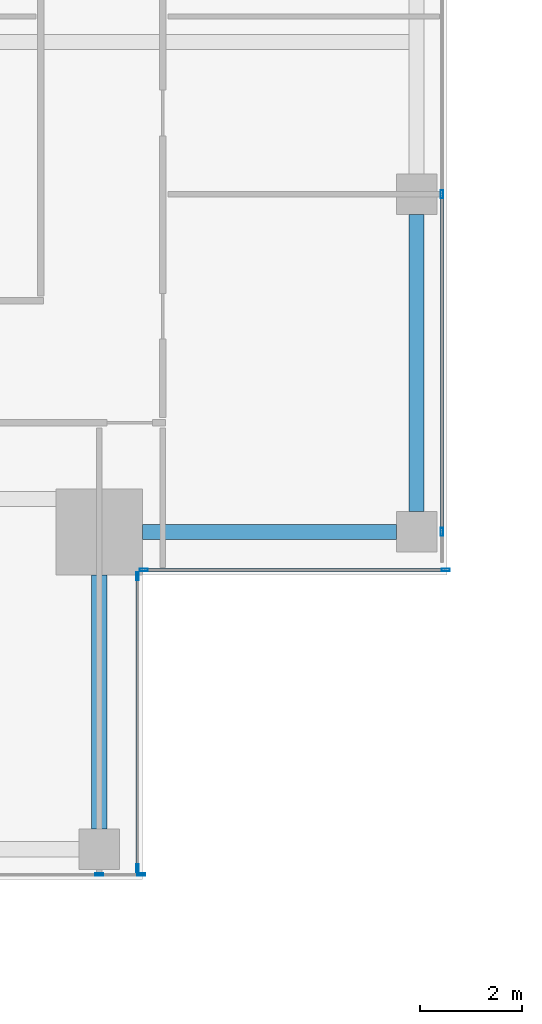
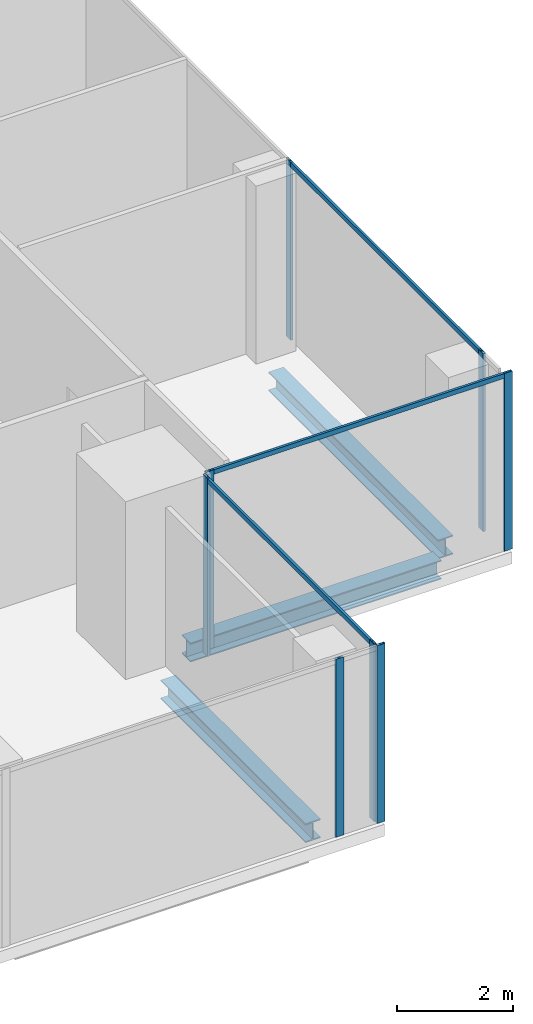
# One storey, part 8 of 28: 11 members, 3 beams, 4 elements without a shape of their own.
"""IFC4 building model written with IfcOpenShell, lengths in metres."""

from ifc_helpers import new_model, si_unit, direction, frame, origin, origin_2d, place, context, subcontext, project, spatial, hollow_rectangle, i_section, extrude, source, transform, mapped, material, material_profile, profile_set, type_object, element, aggregate, save


model = new_model("IFC4")

# Units and contexts
model_context = context("Model", 3, precision=1e-05, world=origin(), true_north=direction((0.0, 1.0)))
body_context = subcontext(model_context, "Body", "Model", "MODEL_VIEW")
ifc_project = project(units=[si_unit("LENGTHUNIT", "METRE"), si_unit("AREAUNIT", "SQUARE_METRE"), si_unit("VOLUMEUNIT", "CUBIC_METRE"), si_unit("PLANEANGLEUNIT", "RADIAN"), si_unit("MASSUNIT", "GRAM", prefix="KILO")], contexts=[model_context])

# Site, building, storey
site_placement = place(None, origin())
site = spatial("IfcSite", under=ifc_project, at=site_placement, CompositionType="ELEMENT")
building_placement = place(site_placement, origin())
building = spatial("IfcBuilding", under=site, at=building_placement, Name="Khomas Fold Tower", CompositionType="ELEMENT")
storey_placement = place(building_placement, frame((0.0, 0.0, 302.199951171875)))
storey = spatial("IfcBuildingStorey", under=building, at=storey_placement, Name="L68", CompositionType="ELEMENT", Elevation=302.199951171875)

# Beams
ifc_material_1 = material(Name="Steel S355", Category="steel")
ifc_material_profile_1 = material_profile(ifc_material_1, i_section(OverallWidth=0.300048828125, OverallDepth=0.39990234375, WebThickness=0.013427734375, FlangeThickness=0.02392578125, at=origin_2d()), Name="HE 400 B")
ifc_profile_set_1 = profile_set([ifc_material_profile_1], Name="Steel S355")
beam_type = type_object("IfcBeamType", Name="HE 400 B spandrel SB5", PredefinedType="SPANDREL", material=ifc_profile_set_1)
shared_shape_1 = source(origin(), body_context, "Body", "SweptSolid", [
    extrude(i_section(OverallWidth=0.300048828125, OverallDepth=0.39990234375, WebThickness=0.013427734375, FlangeThickness=0.02392578125, at=origin_2d()), origin(), (0.0, 0.0, 1.0), 5.85009765625),
])
beam_placement = place(storey_placement, frame((47.39990234375, 13.25, -0.449951171875), z_axis=(0.0, 1.0, 0.0), x_axis=(-1.0, 0.0, 0.0)))
element("IfcBeam", 1, at=beam_placement, inside=storey, type_object=beam_type, Name="SB5", PredefinedType="SPANDREL", context=body_context, shape_type="MappedRepresentation", body=[
    mapped(shared_shape_1, transform((0.0, 0.0, 0.0))),
])
shared_shape_2 = source(origin(), body_context, "Body", "SweptSolid", [
    extrude(i_section(OverallWidth=0.300048828125, OverallDepth=0.39990234375, WebThickness=0.013427734375, FlangeThickness=0.02392578125, at=origin_2d()), origin(), (0.0, 0.0, 1.0), 5.0),
])
for number, where, z_axis, x_axis, name in (
    (2, (41.14990234375, 7.0, -0.449951171875), (0.0, 1.0, 0.0), (-1.0, 0.0, 0.0), "SB5"),
    (3, (42.0, 12.85009765625, -0.449951171875), (1.0, 0.0, 0.0), (0.0, 1.0, 0.0), "SB5"),
):
    element("IfcBeam", number, at=place(storey_placement, frame(where, z_axis=z_axis, x_axis=x_axis)), inside=storey, type_object=beam_type, Name=name, PredefinedType="SPANDREL", context=body_context, shape_type="MappedRepresentation", body=[
        mapped(shared_shape_2, transform((0.0, 0.0, 0.0))),
    ])

# Curtain wall, members
ifc_material_2 = material(Name="Aluminium framed double glazing", Category="aluminium")
curtain_wall_type = type_object("IfcCurtainWallType", Name="SK-Unitised clear-glass wall, upper floors CW3", PredefinedType="NOTDEFINED", material=ifc_material_2)
curtain_wall_1_placement = place(storey_placement, origin())
curtain_wall_1 = element("IfcCurtainWall", 4, at=curtain_wall_1_placement, inside=storey, type_object=curtain_wall_type, Name="CW3 run L68 00-0", PredefinedType="NOTDEFINED")
ifc_material_3 = material(Name="Aluminium", Category="aluminium")
ifc_material_profile_2 = material_profile(ifc_material_3, hollow_rectangle(XDim=0.050048828125, YDim=0.159912109375, WallThickness=0.00390625, at=origin_2d()), Name="SK-Unitised clear-glass wall, upper floors mullion CW3-M")
ifc_profile_set_2 = profile_set([ifc_material_profile_2], Name="Aluminium")
member_type_1 = type_object("IfcMemberType", Name="SK-Unitised clear-glass wall, upper floors mullion CW3-M", PredefinedType="MULLION", material=ifc_profile_set_2)
shared_shape_3 = source(origin(), body_context, "Body", "SweptSolid", [
    extrude(hollow_rectangle(XDim=0.050048828125, YDim=0.159912109375, WallThickness=0.00390625, at=origin_2d()), origin(), (0.0, 0.0, 1.0), 3.75),
])
member_1_placement = place(storey_placement, frame((41.14990234375, 6.10009765625, 0.0), z_axis=(0.0, 0.0, 1.0), x_axis=(0.0, 1.0, 0.0)))
member_1 = element("IfcMember", 5, at=member_1_placement, type_object=member_type_1, Name="CW3 mullion 6", PredefinedType="MULLION", context=body_context, shape_type="MappedRepresentation", body=[
    mapped(shared_shape_3, transform((0.0, 0.0, 0.0))),
])
member_2_placement = place(storey_placement, frame((41.97509765625, 6.10009765625, 0.0), z_axis=(0.0, 0.0, 1.0), x_axis=(0.0, 1.0, 0.0)))
member_2 = element("IfcMember", 6, at=member_2_placement, type_object=member_type_1, Name="CW3 mullion 7", PredefinedType="MULLION", context=body_context, shape_type="MappedRepresentation", body=[
    mapped(shared_shape_3, transform((0.0, 0.0, 0.0))),
])
aggregate(curtain_wall_1, [member_1, member_2])

curtain_wall_2_placement = place(storey_placement, origin())
curtain_wall_2 = element("IfcCurtainWall", 7, at=curtain_wall_2_placement, inside=storey, type_object=curtain_wall_type, Name="CW3 corner return L68 01", PredefinedType="NOTDEFINED")
member_3_placement = place(storey_placement, frame((41.89990234375, 6.22509765625, 0.0), z_axis=(0.0, 0.0, 1.0), x_axis=(-1.0, 0.0, 0.0)))
member_3 = element("IfcMember", 8, at=member_3_placement, type_object=member_type_1, Name="CW3 mullion 1", PredefinedType="MULLION", context=body_context, shape_type="MappedRepresentation", body=[
    mapped(shared_shape_3, transform((0.0, 0.0, 0.0))),
])
member_4_placement = place(storey_placement, frame((41.89990234375, 11.97509765625, 0.0), z_axis=(0.0, 0.0, 1.0), x_axis=(-1.0, 0.0, 0.0)))
member_4 = element("IfcMember", 9, at=member_4_placement, type_object=member_type_1, Name="CW3 mullion 2", PredefinedType="MULLION", context=body_context, shape_type="MappedRepresentation", body=[
    mapped(shared_shape_3, transform((0.0, 0.0, 0.0))),
])

curtain_wall_3_placement = place(storey_placement, origin())
curtain_wall_3 = element("IfcCurtainWall", 10, at=curtain_wall_3_placement, inside=storey, type_object=curtain_wall_type, Name="CW3 corner return L68 02", PredefinedType="NOTDEFINED")
member_5_placement = place(storey_placement, frame((42.02490234375, 12.10009765625, 0.0), z_axis=(0.0, 0.0, 1.0), x_axis=(0.0, 1.0, 0.0)))
member_5 = element("IfcMember", 11, at=member_5_placement, type_object=member_type_1, Name="CW3 mullion 1", PredefinedType="MULLION", context=body_context, shape_type="MappedRepresentation", body=[
    mapped(shared_shape_3, transform((0.0, 0.0, 0.0))),
])
member_6_placement = place(storey_placement, frame((47.97509765625, 12.10009765625, 0.0), z_axis=(0.0, 0.0, 1.0), x_axis=(0.0, 1.0, 0.0)))
member_6 = element("IfcMember", 12, at=member_6_placement, type_object=member_type_1, Name="CW3 mullion 2", PredefinedType="MULLION", context=body_context, shape_type="MappedRepresentation", body=[
    mapped(shared_shape_3, transform((0.0, 0.0, 0.0))),
])

curtain_wall_4_placement = place(storey_placement, origin())
curtain_wall_4 = element("IfcCurtainWall", 13, at=curtain_wall_4_placement, inside=storey, type_object=curtain_wall_type, Name="CW3 run L68 03-0", PredefinedType="NOTDEFINED")
member_7_placement = place(storey_placement, frame((47.89990234375, 12.85009765625, 0.0), z_axis=(0.0, 0.0, 1.0), x_axis=(-1.0, 0.0, 0.0)))
member_7 = element("IfcMember", 14, at=member_7_placement, type_object=member_type_1, Name="CW3 mullion 2", PredefinedType="MULLION", context=body_context, shape_type="MappedRepresentation", body=[
    mapped(shared_shape_3, transform((0.0, 0.0, 0.0))),
])
member_8_placement = place(storey_placement, frame((47.89990234375, 19.5, 0.0), z_axis=(0.0, 0.0, 1.0), x_axis=(-1.0, 0.0, 0.0)))
member_8 = element("IfcMember", 15, at=member_8_placement, type_object=member_type_1, Name="CW3 mullion 3", PredefinedType="MULLION", context=body_context, shape_type="MappedRepresentation", body=[
    mapped(shared_shape_3, transform((0.0, 0.0, 0.0))),
])
ifc_material_4 = material(Name="Aluminium", Category="aluminium")
ifc_material_profile_3 = material_profile(ifc_material_4, hollow_rectangle(XDim=0.050048828125, YDim=0.10009765625, WallThickness=0.00390625, at=origin_2d()), Name="SK-Unitised clear-glass wall, upper floors transom CW3-T")
ifc_profile_set_3 = profile_set([ifc_material_profile_3], Name="Aluminium")
member_type_2 = type_object("IfcMemberType", Name="SK-Unitised clear-glass wall, upper floors transom CW3-T", PredefinedType="USERDEFINED", material=ifc_profile_set_3)
shared_shape_4 = source(origin(), body_context, "Body", "SweptSolid", [
    extrude(hollow_rectangle(XDim=0.050048828125, YDim=0.10009765625, WallThickness=0.00390625, at=origin_2d()), origin(), (0.0, 0.0, 1.0), 6.60009765625),
])
member_9_placement = place(storey_placement, frame((47.89990234375, 12.875, 3.699951171875), z_axis=(0.0, 1.0, 0.0), x_axis=(-1.0, 0.0, 0.0)))
member_9 = element("IfcMember", 16, at=member_9_placement, type_object=member_type_2, Name="CW3 transom 2", ObjectType="TRANSOM", PredefinedType="USERDEFINED", context=body_context, shape_type="MappedRepresentation", body=[
    mapped(shared_shape_4, transform((0.0, 0.0, 0.0))),
])
aggregate(curtain_wall_4, [member_7, member_8, member_9])

# Member
shared_shape_5 = source(origin(), body_context, "Body", "SweptSolid", [
    extrude(hollow_rectangle(XDim=0.050048828125, YDim=0.10009765625, WallThickness=0.00390625, at=origin_2d()), origin(), (0.0, 0.0, 1.0), 5.699951171875),
])
member_10_placement = place(storey_placement, frame((41.89990234375, 6.25, 3.699951171875), z_axis=(0.0, 1.0, 0.0), x_axis=(-1.0, 0.0, 0.0)))
member_10 = element("IfcMember", 17, at=member_10_placement, type_object=member_type_2, Name="CW3 transom 1", ObjectType="TRANSOM", PredefinedType="USERDEFINED", context=body_context, shape_type="MappedRepresentation", body=[
    mapped(shared_shape_5, transform((0.0, 0.0, 0.0))),
])

aggregate(curtain_wall_2, [member_3, member_4, member_10])

shared_shape_6 = source(origin(), body_context, "Body", "SweptSolid", [
    extrude(hollow_rectangle(XDim=0.050048828125, YDim=0.10009765625, WallThickness=0.00390625, at=origin_2d()), origin(), (0.0, 0.0, 1.0), 5.89990234375),
])
member_11_placement = place(storey_placement, frame((42.050048828125, 12.10009765625, 3.699951171875), z_axis=(1.0, 0.0, 0.0), x_axis=(0.0, 1.0, 0.0)))
member_11 = element("IfcMember", 18, at=member_11_placement, type_object=member_type_2, Name="CW3 transom 1", ObjectType="TRANSOM", PredefinedType="USERDEFINED", context=body_context, shape_type="MappedRepresentation", body=[
    mapped(shared_shape_6, transform((0.0, 0.0, 0.0))),
])

aggregate(curtain_wall_3, [member_5, member_6, member_11])

save(model, "model.ifc")
